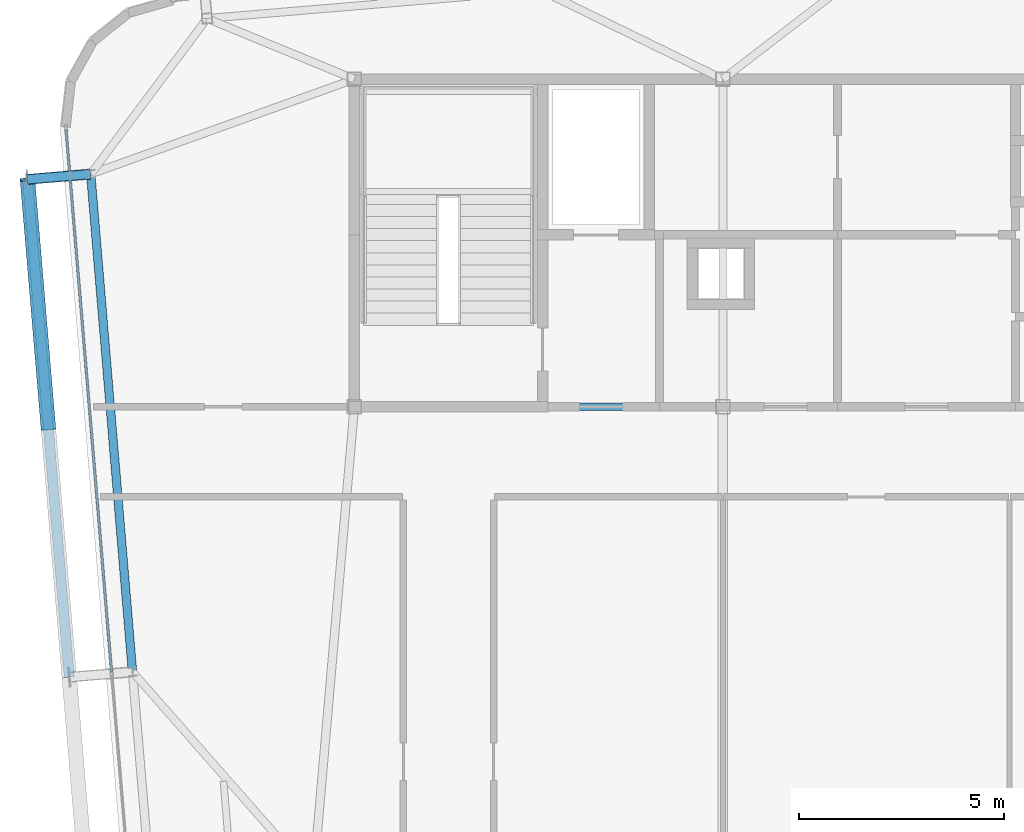
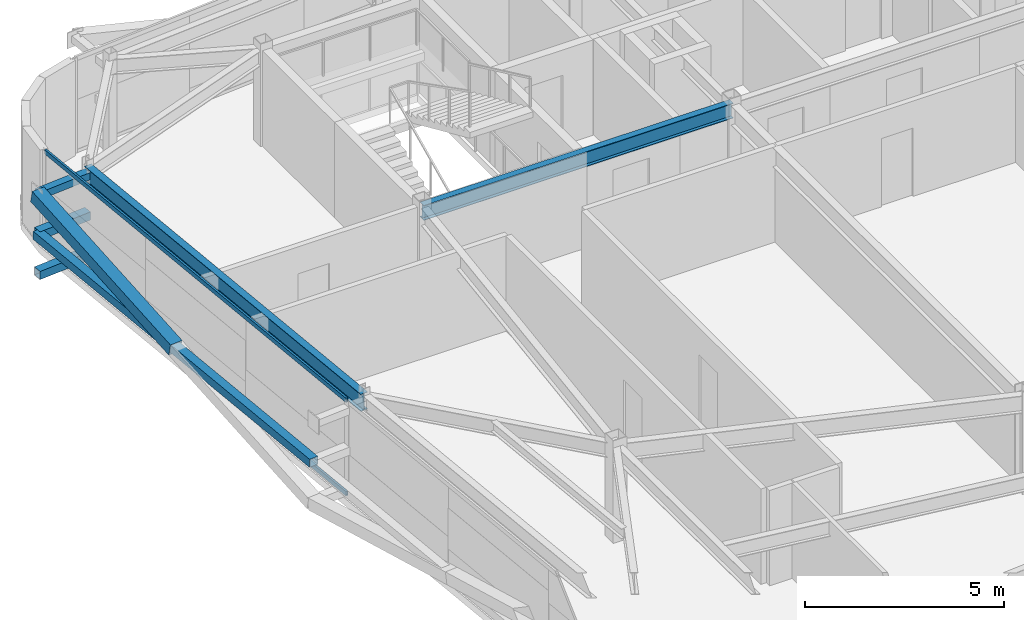
# One storey, part 13 of 37: 7 members, 2 beams, 1 element without a shape of its own.
"""IFC4 building model written with IfcOpenShell, lengths in metres."""

from ifc_helpers import new_model, si_unit, direction, frame, origin, origin_2d, place, context, subcontext, project, spatial, hollow_rectangle, i_section, extrude, source, transform, mapped, material, layer, layer_set, material_profile, profile_set, type_object, element, aggregate, save


model = new_model("IFC4")

# Units and contexts
model_context = context("Model", 3, precision=1e-05, world=origin(), true_north=direction((0.0, 1.0)))
body_context = subcontext(model_context, "Body", "Model", "MODEL_VIEW")
ifc_project = project(units=[si_unit("LENGTHUNIT", "METRE"), si_unit("AREAUNIT", "SQUARE_METRE"), si_unit("VOLUMEUNIT", "CUBIC_METRE"), si_unit("PLANEANGLEUNIT", "RADIAN"), si_unit("MASSUNIT", "GRAM", prefix="KILO")], contexts=[model_context])

# Site, building, storey
site_placement = place(None, origin())
site = spatial("IfcSite", under=ifc_project, at=site_placement, CompositionType="ELEMENT")
building_placement = place(site_placement, origin())
building = spatial("IfcBuilding", under=site, at=building_placement, Name="Taldren Reach Tower", CompositionType="ELEMENT")
storey_placement = place(building_placement, frame((0.0, 0.0, 182.0)))
storey = spatial("IfcBuildingStorey", under=building, at=storey_placement, Name="L55", CompositionType="ELEMENT", Elevation=182.0)

# Beams
ifc_material_1 = material(Name="Steel Gr 350 (350PLUS)", Category="steel")
ifc_material_profile_1 = material_profile(ifc_material_1, i_section(OverallWidth=0.19091796875, OverallDepth=0.4599609375, WebThickness=0.010009765625, FlangeThickness=0.01611328125, at=origin_2d()), Name="460UB82.1")
ifc_profile_set_1 = profile_set([ifc_material_profile_1], Name="Steel Gr 350 (350PLUS)")
beam_type_1 = type_object("IfcBeamType", Name="BM-UB460A", PredefinedType="BEAM", material=ifc_profile_set_1)
shared_shape_1 = source(origin(), body_context, "Body", "SweptSolid", [
    extrude(i_section(OverallWidth=0.19091796875, OverallDepth=0.4599609375, WebThickness=0.010009765625, FlangeThickness=0.01611328125, at=origin_2d()), origin(), (0.0, 0.0, 1.0), 9.0),
])
beam_1_placement = place(storey_placement, frame((19.0, 24.0, 2.699951171875), z_axis=(1.0, 0.0, 0.0), x_axis=(0.0, 1.0, 0.0)))
element("IfcBeam", 1, at=beam_1_placement, inside=storey, type_object=beam_type_1, Name="Core-spine girder L55-SP01", PredefinedType="BEAM", context=body_context, shape_type="MappedRepresentation", body=[
    mapped(shared_shape_1, transform((0.0, 0.0, 0.0), scale=1.0)),
])
ifc_material_profile_2 = material_profile(ifc_material_1, i_section(OverallWidth=0.208984375, OverallDepth=0.528076171875, WebThickness=0.009521484375, FlangeThickness=0.01318359375, at=origin_2d()), Name="530UB82.0")
ifc_profile_set_2 = profile_set([ifc_material_profile_2], Name="Steel Gr 350 (350PLUS)")
beam_type_2 = type_object("IfcBeamType", Name="SP-UB530B", PredefinedType="SPANDREL", material=ifc_profile_set_2)
shared_shape_2 = source(origin(), body_context, "Body", "SweptSolid", [
    extrude(i_section(OverallWidth=0.208984375, OverallDepth=0.528076171875, WebThickness=0.009521484375, FlangeThickness=0.01318359375, at=origin_2d()), origin(), (0.0, 0.0, 1.0), 12.199951171875),
])
beam_2_placement = place(storey_placement, frame((12.56201171875, 29.682373046875, 2.666015625), z_axis=(0.083668166953, -0.99649367175, 0.0), x_axis=(0.99649367175, 0.083668166953, 0.0)))
element("IfcBeam", 2, at=beam_2_placement, inside=storey, type_object=beam_type_2, Name="Perimeter spandrel B4 W3-W2 L55", PredefinedType="SPANDREL", context=body_context, shape_type="MappedRepresentation", body=[
    mapped(shared_shape_2, transform((0.0, 0.0, 0.0), scale=1.0)),
])

# Members
ifc_material_2 = material(Name="Steel Gr 450 (C450L0)", Category="steel")
ifc_material_profile_3 = material_profile(ifc_material_2, hollow_rectangle(XDim=0.219970703125, YDim=0.219970703125, WallThickness=0.00830078125, at=origin_2d()), Name="220x220x8.2SHS")
ifc_profile_set_3 = profile_set([ifc_material_profile_3], Name="Steel Gr 450 (C450L0)")
member_type_1 = type_object("IfcMemberType", Name="MB-TIE219", PredefinedType="STRUT", material=ifc_profile_set_3)
shared_shape_3 = source(origin(), body_context, "Body", "SweptSolid", [
    extrude(hollow_rectangle(XDim=0.219970703125, YDim=0.219970703125, WallThickness=0.00830078125, at=origin_2d()), origin(), (0.0, 0.0, 1.0), 1.54541015625),
])
member_1_placement = place(storey_placement, frame((12.557373046875, 29.68212890625, 2.64990234375), z_axis=(-0.99648887425, -0.083725285883, 0.0), x_axis=(0.083725285883, -0.99648887425, 0.0)))
element("IfcMember", 3, at=member_1_placement, inside=storey, type_object=member_type_1, Name="Exoskeleton diaphragm tie strut B4-W3 L55", PredefinedType="STRUT", context=body_context, shape_type="MappedRepresentation", body=[
    mapped(shared_shape_3, transform((0.0, 0.0, 0.0), scale=1.0)),
])
ifc_material_3 = material(Name="Steel Gr 350 (C350L0)", Category="steel")
ifc_material_profile_4 = material_profile(ifc_material_3, hollow_rectangle(XDim=0.25, YDim=0.25, WallThickness=0.010009765625, at=origin_2d()), Name="250x250x10.0SHS")
ifc_profile_set_4 = profile_set([ifc_material_profile_4], Name="Steel Gr 350 (C350L0)")
member_type_2 = type_object("IfcMemberType", Name="MB-POST250", PredefinedType="POST", material=ifc_profile_set_4)
shared_shape_4 = source(origin(), body_context, "Body", "SweptSolid", [
    extrude(hollow_rectangle(XDim=0.25, YDim=0.25, WallThickness=0.010009765625, at=origin_2d()), origin(), (0.0, 0.0, 1.0), 12.199951171875),
])
member_2_placement = place(storey_placement, frame((12.0380859375, 17.3955078125, 1.43505859375), z_axis=(-0.083668166953, 0.99649367175, 0.0), x_axis=(-0.99649367175, -0.083668166953, 0.0)))
element("IfcMember", 4, at=member_2_placement, inside=storey, type_object=member_type_2, Name="Exoskeleton mid-height ring chord B4-W2 L55", PredefinedType="POST", context=body_context, shape_type="MappedRepresentation", body=[
    mapped(shared_shape_4, transform((0.0, 0.0, 0.0), scale=1.0)),
])
shared_shape_5 = source(origin(), body_context, "Body", "SweptSolid", [
    extrude(hollow_rectangle(XDim=0.25, YDim=0.25, WallThickness=0.010009765625, at=origin_2d()), origin(), (0.0, 0.0, 1.0), 1.54541015625),
])
for number, where, z_axis, x_axis, name in (
    (5, (12.557373046875, 29.68212890625, 0.219970703125), (-0.99648887425, -0.083725285883, 0.0), (0.083725285883, -0.99648887425, 0.0), "Exoskeleton base diaphragm tie strut B4-W3 L55"),
    (6, (12.557373046875, 29.68212890625, 1.43505859375), (-0.99648887425, -0.083725285883, 0.0), (0.083725285883, -0.99648887425, 0.0), "Exoskeleton mid-tier diaphragm tie B4-W3 L55"),
):
    element("IfcMember", number, at=place(storey_placement, frame(where, z_axis=z_axis, x_axis=x_axis)), inside=storey, type_object=member_type_2, Name=name, PredefinedType="POST", context=body_context, shape_type="MappedRepresentation", body=[
        mapped(shared_shape_5, transform((0.0, 0.0, 0.0), scale=1.0)),
    ])
ifc_material_profile_5 = material_profile(ifc_material_2, hollow_rectangle(XDim=0.360107421875, YDim=0.360107421875, WallThickness=0.0126953125, at=origin_2d()), Name="360x360x12.7SHS")
ifc_profile_set_5 = profile_set([ifc_material_profile_5], Name="Steel Gr 450 (C450L0)")
member_type_3 = type_object("IfcMemberType", Name="MB-EXO356", PredefinedType="BRACE", material=ifc_profile_set_5)
shared_shape_6 = source(origin(), body_context, "Body", "SweptSolid", [
    extrude(hollow_rectangle(XDim=0.360107421875, YDim=0.360107421875, WallThickness=0.0126953125, at=origin_2d()), origin(), (0.0, 0.0, 1.0), 6.2197265625),
])
member_3_placement = place(storey_placement, frame((11.52783203125, 23.47412109375, 1.43505859375), z_axis=(-0.082076194186, 0.977299417909, 0.19531857593), x_axis=(-0.996492003099, -0.083688038336, 0.0)))
element("IfcMember", 7, at=member_3_placement, inside=storey, type_object=member_type_3, Name="Exoskeleton Diagrid Brace B4-W2 L55", PredefinedType="BRACE", context=body_context, shape_type="MappedRepresentation", body=[
    mapped(shared_shape_6, transform((0.0, 0.0, 0.0), scale=1.0)),
])

# Curtain wall, members
ifc_material_4 = material(Name="Aluminium and Low-E Glass Unitised System", Category="aluminium")
ifc_layer = layer(ifc_material_4, 0.159912109375)
ifc_layer_set = layer_set([ifc_layer], Name="Aluminium and Low-E Glass Unitised System")
curtain_wall_type = type_object("IfcCurtainWallType", Name="CW-SYS-5", PredefinedType="NOTDEFINED", material=ifc_layer_set)
curtain_wall_placement = place(storey_placement, origin())
curtain_wall = element("IfcCurtainWall", 8, at=curtain_wall_placement, inside=storey, type_object=curtain_wall_type, Name="Unitised curtain wall CW-L55-W", PredefinedType="NOTDEFINED")
ifc_material_5 = material(Name="Anodised Aluminium 6063-T6", Category="aluminium")
ifc_material_profile_6 = material_profile(ifc_material_5, hollow_rectangle(XDim=0.06005859375, YDim=0.135009765625, WallThickness=0.00341796875, at=origin_2d()), Name="ALU-135x60x3.5RHS")
ifc_profile_set_6 = profile_set([ifc_material_profile_6], Name="Anodised Aluminium 6063-T6")
member_type_4 = type_object("IfcMemberType", Name="CW-TRN-150", PredefinedType="USERDEFINED", material=ifc_profile_set_6)
shared_shape_7 = source(origin(), body_context, "Body", "SweptSolid", [
    extrude(hollow_rectangle(XDim=0.06005859375, YDim=0.135009765625, WallThickness=0.00341796875, at=origin_2d()), origin(), (0.0, 0.0, 1.0), 13.295166015625),
])
member_4_placement = place(storey_placement, frame((11.959228515625, 30.765869140625, 0.030029296875), z_axis=(0.083662465438, -0.996494150448, 0.0), x_axis=(0.996494150448, 0.083662465438, 0.0)))
member_4 = element("IfcMember", 9, at=member_4_placement, type_object=member_type_4, Name="CW-5 transom 1.1", ObjectType="TRANSOM", PredefinedType="USERDEFINED", context=body_context, shape_type="MappedRepresentation", body=[
    mapped(shared_shape_7, transform((0.0, 0.0, 0.0), scale=1.0)),
])
member_5_placement = place(storey_placement, frame((11.959228515625, 30.765869140625, 2.89990234375), z_axis=(0.083662465438, -0.996494150448, 0.0), x_axis=(0.996494150448, 0.083662465438, 0.0)))
member_5 = element("IfcMember", 10, at=member_5_placement, type_object=member_type_4, Name="CW-5 transom 1.2", ObjectType="TRANSOM", PredefinedType="USERDEFINED", context=body_context, shape_type="MappedRepresentation", body=[
    mapped(shared_shape_7, transform((0.0, 0.0, 0.0), scale=1.0)),
])
aggregate(curtain_wall, [member_4, member_5])

save(model, "model.ifc")
